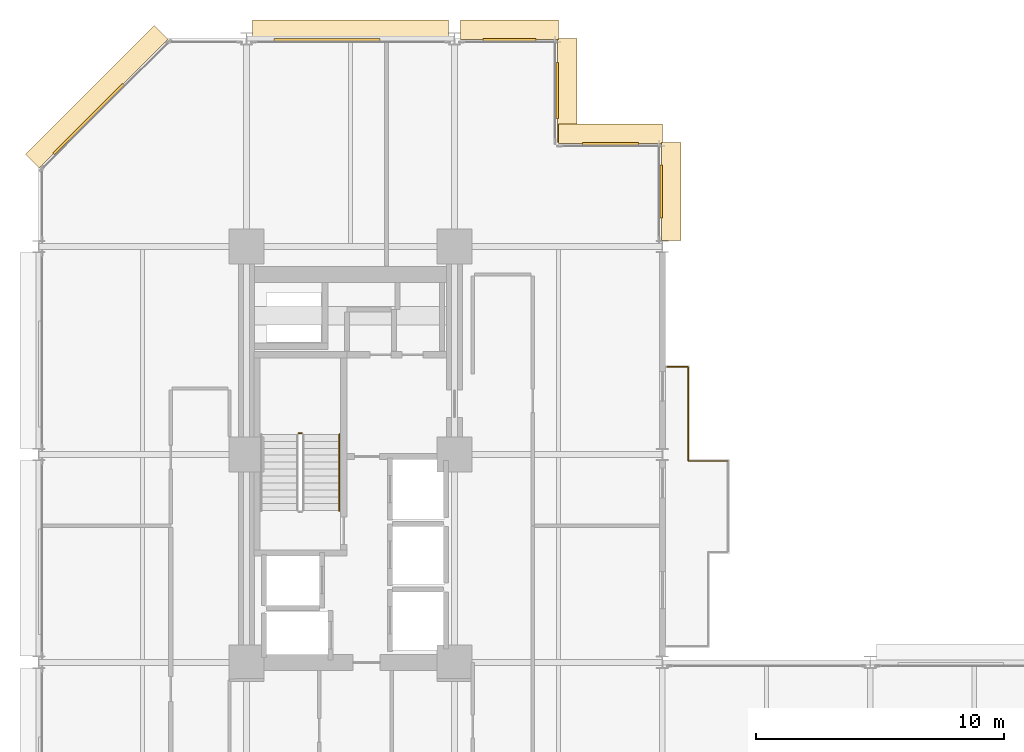
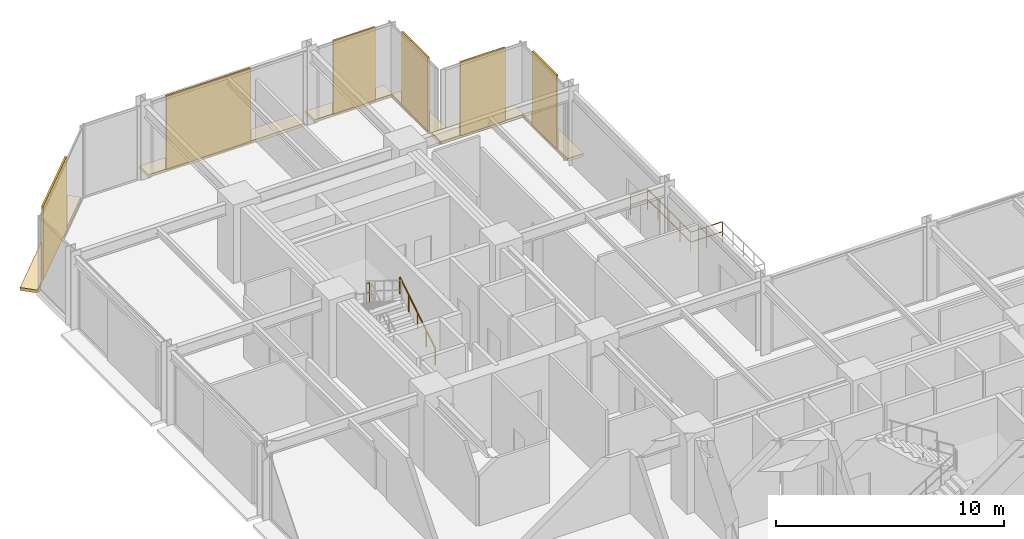
# One storey, part 25 of 25: 12 coverings, 5 railings.
"""IFC4 building model written with IfcOpenShell, lengths in metres."""

from ifc_helpers import new_model, si_unit, direction, frame, origin, origin_2d, place, context, subcontext, project, spatial, polyline, rectangle, circle, outline, extrude, material, layer, layer_set, type_object, element, save


model = new_model("IFC4")

# Units and contexts
model_context = context("Model", 3, precision=1e-05, world=origin(), true_north=direction((0.0, 1.0)))
body_context = subcontext(model_context, "Body", "Model", "MODEL_VIEW")
ifc_project = project(units=[si_unit("LENGTHUNIT", "METRE"), si_unit("AREAUNIT", "SQUARE_METRE"), si_unit("VOLUMEUNIT", "CUBIC_METRE"), si_unit("PLANEANGLEUNIT", "RADIAN"), si_unit("MASSUNIT", "GRAM", prefix="KILO")], contexts=[model_context])

# Site, building, storey
site_placement = place(None, origin())
site = spatial("IfcSite", under=ifc_project, at=site_placement, CompositionType="ELEMENT")
building_placement = place(site_placement, origin())
building = spatial("IfcBuilding", under=site, at=building_placement, Name="Nerrivon Quay Data Exchange", CompositionType="ELEMENT")
storey_placement = place(building_placement, frame((0.0, 0.0, 54.199951171875)))
storey = spatial("IfcBuildingStorey", under=building, at=storey_placement, Name="L12", CompositionType="ELEMENT", Elevation=54.199951171875)

# Coverings
ifc_material_1 = material(Name="Architectural terracotta ceramic", Category="masonry")
ifc_layer_1 = layer(ifc_material_1, 0.159912109375)
ifc_layer_set_1 = layer_set([ifc_layer_1], Name="Architectural terracotta ceramic")
covering_type_1 = type_object("IfcCoveringType", Name="COV-BLD-TERR", PredefinedType="CLADDING", material=ifc_layer_set_1)
covering_1_placement = place(storey_placement, frame((0.0, 0.0, -0.159912109375)))
element("IfcCovering", 1, at=covering_1_placement, inside=storey, type_object=covering_type_1, Name="L12 Horizontal Terracotta SOLAR SCREEN Blade", PredefinedType="CLADDING", context=body_context, shape_type="SweptSolid", body=[
    extrude(outline(polyline([(0.0283203125, 45.171630859375), (5.228271484375, 50.37158203125), (4.669677734375, 50.930419921875), (-0.5302734375, 45.730224609375), (0.0283203125, 45.171630859375)])), origin(), (0.0, 0.0, 1.0), 0.159912109375),
])
covering_2_placement = place(storey_placement, frame((0.0, 0.0, -0.159912109375)))
element("IfcCovering", 2, at=covering_2_placement, inside=storey, type_object=covering_type_1, Name="L12 Horizontal Terracotta SOLAR SCREEN Blade", PredefinedType="CLADDING", context=body_context, shape_type="SweptSolid", body=[
    extrude(outline(polyline([(8.64990234375, 50.360107421875), (16.550048828125, 50.360107421875), (16.550048828125, 51.14990234375), (8.64990234375, 51.14990234375), (8.64990234375, 50.360107421875)])), origin(), (0.0, 0.0, 1.0), 0.159912109375),
])
covering_3_placement = place(storey_placement, frame((0.0, 0.0, -0.159912109375)))
element("IfcCovering", 3, at=covering_3_placement, inside=storey, type_object=covering_type_1, Name="L12 Horizontal Terracotta SOLAR SCREEN Blade", PredefinedType="CLADDING", context=body_context, shape_type="SweptSolid", body=[
    extrude(outline(polyline([(17.050048828125, 50.360107421875), (21.0, 50.360107421875), (21.0, 51.14990234375), (17.050048828125, 51.14990234375), (17.050048828125, 50.360107421875)])), origin(), (0.0, 0.0, 1.0), 0.159912109375),
])
covering_4_placement = place(storey_placement, frame((0.0, 0.0, -0.159912109375)))
element("IfcCovering", 4, at=covering_4_placement, inside=storey, type_object=covering_type_1, Name="L12 Horizontal Terracotta SOLAR SCREEN Blade", PredefinedType="CLADDING", context=body_context, shape_type="SweptSolid", body=[
    extrude(outline(polyline([(20.9599609375, 50.39990234375), (20.9599609375, 46.199951171875), (21.75, 46.199951171875), (21.75, 50.39990234375), (20.9599609375, 50.39990234375)])), origin(), (0.0, 0.0, 1.0), 0.159912109375),
])
covering_5_placement = place(storey_placement, frame((0.0, 0.0, -0.159912109375)))
element("IfcCovering", 5, at=covering_5_placement, inside=storey, type_object=covering_type_1, Name="L12 Horizontal Terracotta SOLAR SCREEN Blade", PredefinedType="CLADDING", context=body_context, shape_type="SweptSolid", body=[
    extrude(outline(polyline([(21.0, 46.159912109375), (25.199951171875, 46.159912109375), (25.199951171875, 46.949951171875), (21.0, 46.949951171875), (21.0, 46.159912109375)])), origin(), (0.0, 0.0, 1.0), 0.159912109375),
])
covering_6_placement = place(storey_placement, frame((0.0, 0.0, -0.159912109375)))
element("IfcCovering", 6, at=covering_6_placement, inside=storey, type_object=covering_type_1, Name="L12 Horizontal Terracotta SOLAR SCREEN Blade", PredefinedType="CLADDING", context=body_context, shape_type="SweptSolid", body=[
    extrude(outline(polyline([(25.159912109375, 46.199951171875), (25.159912109375, 42.25), (25.949951171875, 42.25), (25.949951171875, 46.199951171875), (25.159912109375, 46.199951171875)])), origin(), (0.0, 0.0, 1.0), 0.159912109375),
])
ifc_layer_2 = layer(ifc_material_1, 0.090087890625)
ifc_layer_set_2 = layer_set([ifc_layer_2], Name="Architectural terracotta ceramic")
covering_type_2 = type_object("IfcCoveringType", Name="COV-SCR-TERR", PredefinedType="CLADDING", material=ifc_layer_set_2)
covering_7_placement = place(storey_placement, frame((2.0078125, 47.144287109375, 0.0), z_axis=(0.0, 0.0, 1.0), x_axis=(0.707106781187, 0.707106781187, 0.0)))
element("IfcCovering", 7, at=covering_7_placement, inside=storey, type_object=covering_type_2, Name="L12 Perforated Terracotta SOLAR SCREEN Cassette", PredefinedType="CLADDING", context=body_context, shape_type="SweptSolid", body=[
    extrude(rectangle(XDim=3.970947265625, YDim=0.090087890625, at=origin_2d()), origin(), (0.0, 0.0, 1.0), 3.925048828125),
])
covering_8_placement = place(storey_placement, frame((11.652099609375, 50.35498046875, 0.0), z_axis=(0.0, 0.0, 1.0), x_axis=(1.0, 0.0, 0.0)))
element("IfcCovering", 8, at=covering_8_placement, inside=storey, type_object=covering_type_2, Name="L12 Perforated Terracotta SOLAR SCREEN Cassette", PredefinedType="CLADDING", context=body_context, shape_type="SweptSolid", body=[
    extrude(rectangle(XDim=4.26611328125, YDim=0.090087890625, at=origin_2d()), origin(), (0.0, 0.0, 1.0), 3.925048828125),
])
covering_9_placement = place(storey_placement, frame((19.02490234375, 50.35498046875, 0.0), z_axis=(0.0, 0.0, 1.0), x_axis=(1.0, 0.0, 0.0)))
element("IfcCovering", 9, at=covering_9_placement, inside=storey, type_object=covering_type_2, Name="L12 Perforated Terracotta SOLAR SCREEN Cassette", PredefinedType="CLADDING", context=body_context, shape_type="SweptSolid", body=[
    extrude(rectangle(XDim=2.133056640625, YDim=0.090087890625, at=origin_2d()), origin(), (0.0, 0.0, 1.0), 3.925048828125),
])
for number, where, z_axis, x_axis, name in (
    (10, (20.955078125, 48.300048828125, 0.0), (0.0, 0.0, 1.0), (0.0, -1.0, 0.0), "L12 Perforated Terracotta SOLAR SCREEN Cassette"),
    (11, (23.10009765625, 46.155029296875, 0.0), (0.0, 0.0, 1.0), (1.0, 0.0, 0.0), "L12 Perforated Terracotta SOLAR SCREEN Cassette"),
):
    element("IfcCovering", number, at=place(storey_placement, frame(where, z_axis=z_axis, x_axis=x_axis)), inside=storey, type_object=covering_type_2, Name=name, PredefinedType="CLADDING", context=body_context, shape_type="SweptSolid", body=[
        extrude(rectangle(XDim=2.26806640625, YDim=0.090087890625, at=origin_2d()), origin(), (0.0, 0.0, 1.0), 3.925048828125),
    ])
covering_10_placement = place(storey_placement, frame((25.155029296875, 44.22509765625, 0.0), z_axis=(0.0, 0.0, 1.0), x_axis=(0.0, -1.0, 0.0)))
element("IfcCovering", 12, at=covering_10_placement, inside=storey, type_object=covering_type_2, Name="L12 Perforated Terracotta SOLAR SCREEN Cassette", PredefinedType="CLADDING", context=body_context, shape_type="SweptSolid", body=[
    extrude(rectangle(XDim=2.133056640625, YDim=0.090087890625, at=origin_2d()), origin(), (0.0, 0.0, 1.0), 3.925048828125),
])

# Railings
ifc_material_2 = material(Name="Steel Grade C350L0 (350 MPa)", Category="steel")
railing_type_1 = type_object("IfcRailingType", Name="RAIL-GUARD-GR2", PredefinedType="BALUSTRADE", material=ifc_material_2)
railing_1_placement = place(storey_placement, frame((25.3798828125, 37.139892578125, 0.0)))
element("IfcRailing", 13, at=railing_1_placement, inside=storey, type_object=railing_type_1, Name="L12 Verandah Balcony Guard 1.3 1", PredefinedType="BALUSTRADE", context=body_context, shape_type="SweptSolid", body=[
    extrude(circle(Radius=0.02392578125, at=origin_2d()), frame((0.0, 0.0, 1.09619140625), z_axis=(1.0, 0.0, 0.0), x_axis=(0.0, 1.0, 0.0)), (0.0, 0.0, 1.0), 0.860107421875),
    extrude(circle(Radius=0.02392578125, at=origin_2d()), frame((0.0, 0.0, 0.56005859375), z_axis=(1.0, 0.0, 0.0), x_axis=(0.0, 1.0, 0.0)), (0.0, 0.0, 1.0), 0.860107421875),
    extrude(circle(Radius=0.02099609375, at=origin_2d()), origin(), (0.0, 0.0, 1.0), 1.072021484375),
    extrude(circle(Radius=0.02099609375, at=origin_2d()), frame((0.860107421875, 0.0, 0.0)), (0.0, 0.0, 1.0), 1.072021484375),
])
railing_2_placement = place(storey_placement, frame((26.239990234375, 37.139892578125, 0.0)))
element("IfcRailing", 14, at=railing_2_placement, inside=storey, type_object=railing_type_1, Name="L12 Verandah Balcony Guard 1.4 1", PredefinedType="BALUSTRADE", context=body_context, shape_type="SweptSolid", body=[
    extrude(circle(Radius=0.02392578125, at=origin_2d()), frame((0.0, 0.0, 1.09619140625), z_axis=(0.0, -1.0, 0.0), x_axis=(1.0, 0.0, 0.0)), (0.0, 0.0, 1.0), 3.7998046875),
    extrude(circle(Radius=0.02392578125, at=origin_2d()), frame((0.0, 0.0, 0.56005859375), z_axis=(0.0, -1.0, 0.0), x_axis=(1.0, 0.0, 0.0)), (0.0, 0.0, 1.0), 3.7998046875),
    extrude(circle(Radius=0.02099609375, at=origin_2d()), origin(), (0.0, 0.0, 1.0), 1.072021484375),
    extrude(circle(Radius=0.02099609375, at=origin_2d()), frame((0.0, -0.949951171875, 0.0)), (0.0, 0.0, 1.0), 1.072021484375),
    extrude(circle(Radius=0.02099609375, at=origin_2d()), frame((0.0, -1.89990234375, 0.0)), (0.0, 0.0, 1.0), 1.072021484375),
    extrude(circle(Radius=0.02099609375, at=origin_2d()), frame((0.0, -2.849853515625, 0.0)), (0.0, 0.0, 1.0), 1.072021484375),
    extrude(circle(Radius=0.02099609375, at=origin_2d()), frame((0.0, -3.7998046875, 0.0)), (0.0, 0.0, 1.0), 1.072021484375),
])
railing_3_placement = place(storey_placement, frame((26.239990234375, 33.340087890625, 0.0)))
element("IfcRailing", 15, at=railing_3_placement, inside=storey, type_object=railing_type_1, Name="L12 Verandah Balcony Guard 1.5 1", PredefinedType="BALUSTRADE", context=body_context, shape_type="SweptSolid", body=[
    extrude(circle(Radius=0.02392578125, at=origin_2d()), frame((0.0, 0.0, 1.09619140625), z_axis=(1.0, 0.0, 0.0), x_axis=(0.0, 1.0, 0.0)), (0.0, 0.0, 1.0), 1.60009765625),
    extrude(circle(Radius=0.02392578125, at=origin_2d()), frame((0.0, 0.0, 0.56005859375), z_axis=(1.0, 0.0, 0.0), x_axis=(0.0, 1.0, 0.0)), (0.0, 0.0, 1.0), 1.60009765625),
    extrude(circle(Radius=0.02099609375, at=origin_2d()), origin(), (0.0, 0.0, 1.0), 1.072021484375),
    extrude(circle(Radius=0.02099609375, at=origin_2d()), frame((0.800048828125, 0.0, 0.0)), (0.0, 0.0, 1.0), 1.072021484375),
    extrude(circle(Radius=0.02099609375, at=origin_2d()), frame((1.60009765625, 0.0, 0.0)), (0.0, 0.0, 1.0), 1.072021484375),
])
railing_type_2 = type_object("IfcRailingType", Name="RAIL-HAND-HR1", PredefinedType="HANDRAIL", material=ifc_material_2)
railing_4_placement = place(storey_placement, frame((12.14990234375, 31.330078125, 0.175048828125)))
element("IfcRailing", 16, at=railing_4_placement, inside=storey, type_object=railing_type_2, Name="L12 ST01 stair handrail 1", PredefinedType="HANDRAIL", context=body_context, shape_type="SweptSolid", body=[
    extrude(circle(Radius=0.02392578125, at=origin_2d()), frame((0.0, 0.0, 0.8759765625), z_axis=(0.0, 0.847979421464, 0.530029150871), x_axis=(-1.0, 0.0, 0.0)), (0.0, 0.0, 1.0), 3.632080078125),
    extrude(circle(Radius=0.02099609375, at=origin_2d()), origin(), (0.0, 0.0, 1.0), 0.851806640625),
    extrude(circle(Radius=0.02099609375, at=origin_2d()), frame((0.0, 0.77001953125, 0.481201171875)), (0.0, 0.0, 1.0), 0.851806640625),
    extrude(circle(Radius=0.02099609375, at=origin_2d()), frame((0.0, 1.5400390625, 0.96240234375)), (0.0, 0.0, 1.0), 0.851806640625),
    extrude(circle(Radius=0.02099609375, at=origin_2d()), frame((0.0, 2.309814453125, 1.44384765625)), (0.0, 0.0, 1.0), 0.851806640625),
    extrude(circle(Radius=0.02099609375, at=origin_2d()), frame((0.0, 3.079833984375, 1.925048828125)), (0.0, 0.0, 1.0), 0.851806640625),
])
railing_type_3 = type_object("IfcRailingType", Name="RAIL-STAIR-GR1", PredefinedType="BALUSTRADE", material=ifc_material_2)
railing_5_placement = place(storey_placement, frame((10.64990234375, 34.4599609375, 2.10009765625)))
element("IfcRailing", 17, at=railing_5_placement, inside=storey, type_object=railing_type_3, Name="L12 ST01 stair guard 2", PredefinedType="BALUSTRADE", context=body_context, shape_type="SweptSolid", body=[
    extrude(circle(Radius=0.02392578125, at=origin_2d()), frame((0.0, 0.0, 1.076171875), z_axis=(-1.0, 0.0, 0.0), x_axis=(0.0, -1.0, 0.0)), (0.0, 0.0, 1.0), 0.14990234375),
    extrude(circle(Radius=0.02392578125, at=origin_2d()), frame((0.0, 0.0, 0.550048828125), z_axis=(-1.0, 0.0, 0.0), x_axis=(0.0, -1.0, 0.0)), (0.0, 0.0, 1.0), 0.14990234375),
    extrude(circle(Radius=0.02099609375, at=origin_2d()), origin(), (0.0, 0.0, 1.0), 1.052001953125),
    extrude(circle(Radius=0.02099609375, at=origin_2d()), frame((-0.14990234375, 0.0, 0.0)), (0.0, 0.0, 1.0), 1.052001953125),
])

save(model, "model.ifc")
